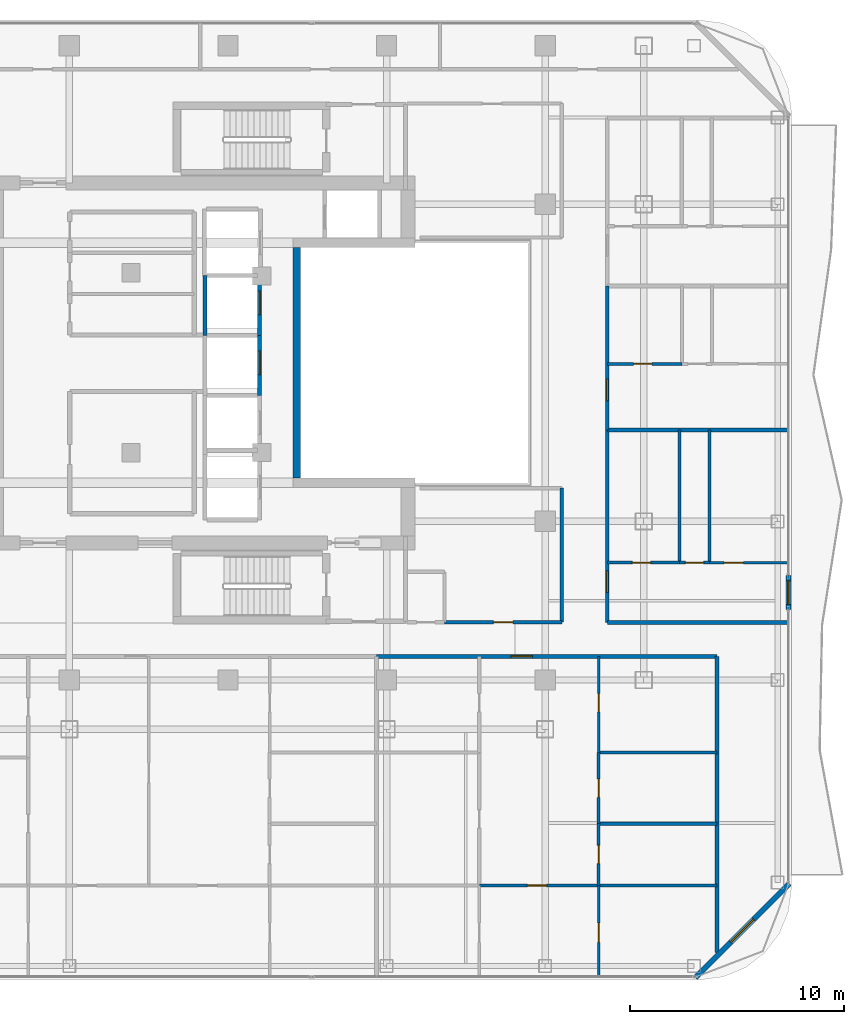
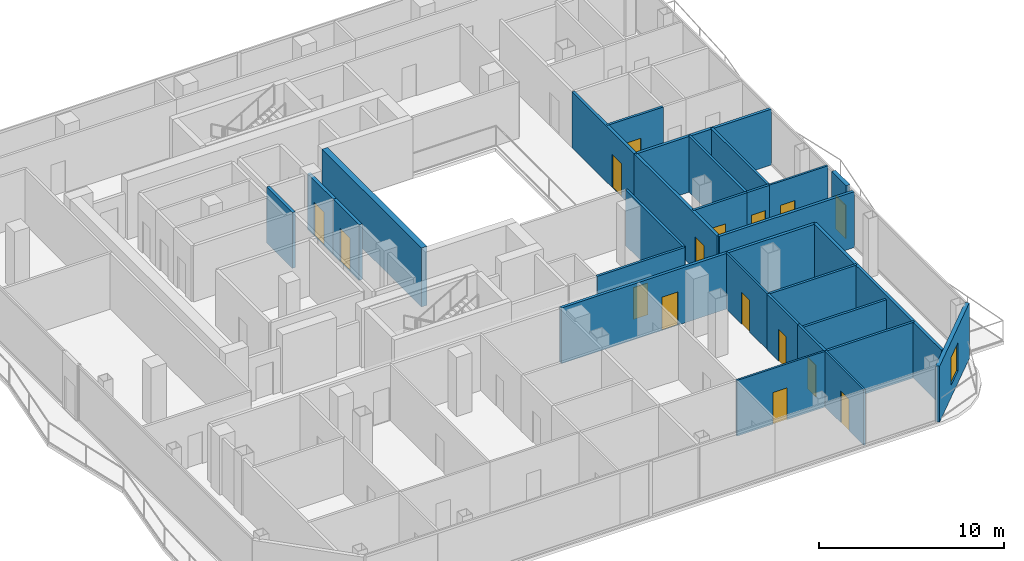
# One storey, part 22 of 27: 28 walls, 16 doors, 1 window, 17 openings.
"""IFC4 building model written with IfcOpenShell, lengths in metres."""

from ifc_helpers import new_model, si_unit, direction, frame, frame_2d, origin, place, context, subcontext, project, spatial, rectangle, extrude, material, layer, layer_set, type_object, element, fill, save


model = new_model("IFC4")

# Units and contexts
model_context = context("Model", 3, precision=1e-05, world=origin(), true_north=direction((0.0, 1.0)))
body_context = subcontext(model_context, "Body", "Model", "MODEL_VIEW")
ifc_project = project(units=[si_unit("LENGTHUNIT", "METRE"), si_unit("AREAUNIT", "SQUARE_METRE"), si_unit("VOLUMEUNIT", "CUBIC_METRE"), si_unit("PLANEANGLEUNIT", "RADIAN"), si_unit("MASSUNIT", "GRAM", prefix="KILO")], contexts=[model_context])

# Site, building, storey
site_placement = place(None, origin())
site = spatial("IfcSite", under=ifc_project, at=site_placement, CompositionType="ELEMENT")
building_placement = place(site_placement, origin())
building = spatial("IfcBuilding", under=site, at=building_placement, Name="Khorvyn Point Tower", CompositionType="ELEMENT")
storey_placement = place(building_placement, frame((0.0, 0.0, 246.89990234375)))
storey = spatial("IfcBuildingStorey", under=building, at=storey_placement, Name="L60", CompositionType="ELEMENT", Elevation=246.89990234375)

# Wall, opening, door
ifc_material_1 = material(Name="Double acoustic gypsum on twin steel stud", Category="steel")
ifc_layer_1 = layer(ifc_material_1, 0.179931640625)
ifc_layer_set_1 = layer_set([ifc_layer_1], Name="Acoustic Double-Stud Apartment Demising Wall 180")
wall_type_1 = type_object("IfcWallType", Name="Acoustic Double-Stud Apartment Demising Wall 180", PredefinedType="PARTITIONING", material=ifc_layer_set_1)
wall_1_placement = place(storey_placement, frame((6.927001953125, -13.699951171875, 0.0), z_axis=(0.0, 0.0, 1.0), x_axis=(1.0, 0.0, 0.0)))
wall_1 = element("IfcWall", 1, at=wall_1_placement, inside=storey, type_object=wall_type_1, Name="Wall", PredefinedType="PARTITIONING", context=body_context, shape_type="SweptSolid", body=[
    extrude(rectangle(XDim=15.89306640625, YDim=0.179931640625, at=frame_2d((7.946533203125, 0.0))), origin(), (0.0, 0.0, 1.0), 3.68017578125),
])
opening_1_placement = place(wall_1_placement, frame((6.277099609375, 0.0, 0.0)))
opening_1 = element("IfcOpeningElement", 2, at=opening_1_placement, cuts=wall_1, Name="Opening ID-AP60", PredefinedType="OPENING", context=body_context, shape_type="SweptSolid", body=[
    extrude(rectangle(XDim=1.0, YDim=2.199951171875, at=frame_2d((0.5, 1.10009765625))), frame((0.0, 0.099853515625, 0.0), z_axis=(0.0, -1.0, 0.0), x_axis=(1.0, 0.0, 0.0)), (0.0, 0.0, 1.0), 0.199951171875),
])
ifc_material_2 = material(Name="Engineered hardwood fire-rated leaf", Category="wood")
door_type_1 = type_object("IfcDoorType", Name="Acoustic Solid-Core Timber Apartment Entrance Door 1000x2200", OperationType="NOTDEFINED", PredefinedType="DOOR", material=ifc_material_2)
door_1_placement = place(opening_1_placement, origin())
door_1 = element("IfcDoor", 3, at=door_1_placement, inside=storey, type_object=door_type_1, Name="Door", OperationType="SINGLE_SWING_LEFT", OverallHeight=2.199951171875, OverallWidth=1.0, PredefinedType="DOOR", context=body_context, shape_type="SweptSolid", body=[
    extrude(rectangle(XDim=1.0, YDim=2.199951171875, at=frame_2d((0.5, 1.10009765625))), frame((0.0, 0.02490234375, 0.0), z_axis=(0.0, -1.0, 0.0), x_axis=(1.0, 0.0, 0.0)), (0.0, 0.0, 1.0), 0.050048828125),
])
fill(opening_1, door_1)

wall_2_placement = place(storey_placement, frame((17.699951171875, -12.1201171875, 0.0), z_axis=(0.0, 0.0, 1.0), x_axis=(0.0, 1.0, 0.0)))
wall_2 = element("IfcWall", 4, at=wall_2_placement, inside=storey, type_object=wall_type_1, Name="Wall", PredefinedType="PARTITIONING", context=body_context, shape_type="SweptSolid", body=[
    extrude(rectangle(XDim=8.980224609375, YDim=0.179931640625, at=frame_2d((4.490234375, 0.0))), origin(), (0.0, 0.0, 1.0), 3.68017578125),
])
opening_2_placement = place(wall_2_placement, frame((1.406982421875, 0.0, 0.0)))
opening_2 = element("IfcOpeningElement", 5, at=opening_2_placement, cuts=wall_2, Name="Opening ID-AP60", PredefinedType="OPENING", context=body_context, shape_type="SweptSolid", body=[
    extrude(rectangle(XDim=1.0, YDim=2.199951171875, at=frame_2d((0.5, 1.10009765625))), frame((0.0, 0.099853515625, 0.0), z_axis=(0.0, -1.0, 0.0), x_axis=(1.0, 0.0, 0.0)), (0.0, 0.0, 1.0), 0.199951171875),
])
door_2_placement = place(opening_2_placement, origin())
door_2 = element("IfcDoor", 6, at=door_2_placement, inside=storey, type_object=door_type_1, Name="Door", OperationType="SINGLE_SWING_RIGHT", OverallHeight=2.199951171875, OverallWidth=1.0, PredefinedType="DOOR", context=body_context, shape_type="SweptSolid", body=[
    extrude(rectangle(XDim=1.0, YDim=2.199951171875, at=frame_2d((0.5, 1.10009765625))), frame((0.0, 0.02490234375, 0.0), z_axis=(0.0, -1.0, 0.0), x_axis=(1.0, 0.0, 0.0)), (0.0, 0.0, 1.0), 0.050048828125),
])
fill(opening_2, door_2)

wall_3_placement = place(storey_placement, frame((17.699951171875, -3.139892578125, 0.0), z_axis=(0.0, 0.0, 1.0), x_axis=(0.0, 1.0, 0.0)))
wall_3 = element("IfcWall", 7, at=wall_3_placement, inside=storey, type_object=wall_type_1, Name="Wall", PredefinedType="PARTITIONING", context=body_context, shape_type="SweptSolid", body=[
    extrude(rectangle(XDim=6.719970703125, YDim=0.179931640625, at=frame_2d((3.35986328125, 0.0))), origin(), (0.0, 0.0, 1.0), 3.68017578125),
])
opening_3_placement = place(wall_3_placement, frame((1.37939453125, 0.0, 0.0)))
opening_3 = element("IfcOpeningElement", 8, at=opening_3_placement, cuts=wall_3, Name="Opening ID-AP60", PredefinedType="OPENING", context=body_context, shape_type="SweptSolid", body=[
    extrude(rectangle(XDim=1.0, YDim=2.199951171875, at=frame_2d((0.5, 1.10009765625))), frame((0.0, 0.099853515625, 0.0), z_axis=(0.0, -1.0, 0.0), x_axis=(1.0, 0.0, 0.0)), (0.0, 0.0, 1.0), 0.199951171875),
])
door_3_placement = place(opening_3_placement, origin())
door_3 = element("IfcDoor", 9, at=door_3_placement, inside=storey, type_object=door_type_1, Name="Door", OperationType="SINGLE_SWING_RIGHT", OverallHeight=2.199951171875, OverallWidth=1.0, PredefinedType="DOOR", context=body_context, shape_type="SweptSolid", body=[
    extrude(rectangle(XDim=1.0, YDim=2.199951171875, at=frame_2d((0.5, 1.10009765625))), frame((0.0, 0.02490234375, 0.0), z_axis=(0.0, -1.0, 0.0), x_axis=(1.0, 0.0, 0.0)), (0.0, 0.0, 1.0), 0.050048828125),
])
fill(opening_3, door_3)

# Walls
wall_4_placement = place(storey_placement, frame((22.820068359375, -27.510009765625, 0.0), z_axis=(0.0, 0.0, 1.0), x_axis=(0.0, 1.0, 0.0)))
element("IfcWall", 10, at=wall_4_placement, inside=storey, type_object=wall_type_1, Name="Wall", PredefinedType="PARTITIONING", context=body_context, shape_type="SweptSolid", body=[
    extrude(rectangle(XDim=13.81005859375, YDim=0.179931640625, at=frame_2d((6.905029296875, 0.0))), origin(), (0.0, 0.0, 1.0), 3.68017578125),
])
for number, where, z_axis, x_axis, name in (
    (11, (17.699951171875, -3.139892578125, 0.0), (0.0, 0.0, 1.0), (1.0, 0.0, 0.0), "Wall"),
    (12, (17.699951171875, -12.1201171875, 0.0), (0.0, 0.0, 1.0), (1.0, 0.0, 0.0), "Wall"),
):
    element("IfcWall", number, at=place(storey_placement, frame(where, z_axis=z_axis, x_axis=x_axis)), inside=storey, type_object=wall_type_1, Name=name, PredefinedType="PARTITIONING", context=body_context, shape_type="SweptSolid", body=[
        extrude(rectangle(XDim=8.429931640625, YDim=0.179931640625, at=frame_2d((4.21484375, 0.0))), origin(), (0.0, 0.0, 1.0), 3.68017578125),
    ])

# Wall, opening, door
ifc_material_3 = material(Name="Pale anodised aluminium rainscreen on steel stud", Category="steel")
ifc_layer_2 = layer(ifc_material_3, 0.239990234375)
ifc_layer_set_2 = layer_set([ifc_layer_2], Name="Anodised Aluminium Insulated Corner Spandrel Wall 240")
wall_type_2 = type_object("IfcWallType", Name="Anodised Aluminium Insulated Corner Spandrel Wall 240", PredefinedType="SOLIDWALL", material=ifc_layer_set_2)
wall_5_placement = place(storey_placement, frame((26.14990234375, -9.929931640625, 0.0), z_axis=(0.0, 0.0, 1.0), x_axis=(0.0, -1.0, 0.0)))
wall_5 = element("IfcWall", 13, at=wall_5_placement, inside=storey, type_object=wall_type_2, Name="L60 East Outdoor Threshold Wall", PredefinedType="SOLIDWALL", context=body_context, shape_type="SweptSolid", body=[
    extrude(rectangle(XDim=1.580078125, YDim=0.239990234375, at=frame_2d((0.7900390625, 0.0))), origin(), (0.0, 0.0, 1.0), 3.68017578125),
])
opening_4_placement = place(wall_5_placement, frame((0.239990234375, 0.0, 0.0)))
opening_4 = element("IfcOpeningElement", 14, at=opening_4_placement, cuts=wall_5, Name="Opening BD-1122", PredefinedType="OPENING", context=body_context, shape_type="SweptSolid", body=[
    extrude(rectangle(XDim=1.10009765625, YDim=2.199951171875, at=frame_2d((0.550048828125, 1.10009765625))), frame((0.0, 0.1298828125, 0.0), z_axis=(0.0, -1.0, 0.0), x_axis=(1.0, 0.0, 0.0)), (0.0, 0.0, 1.0), 0.260009765625),
])
ifc_material_4 = material(Name="Anodised aluminium 6063-T6 and laminated Low-E glass", Category="aluminium")
door_type_2 = type_object("IfcDoorType", Name="Glazed Balcony and Terrace Threshold Door 1100x2200", OperationType="NOTDEFINED", PredefinedType="DOOR", material=ifc_material_4)
door_4_placement = place(opening_4_placement, origin())
door_4 = element("IfcDoor", 15, at=door_4_placement, inside=storey, type_object=door_type_2, Name="L60 East Glazed Balcony Outdoor Door", OperationType="SINGLE_SWING_LEFT", OverallHeight=2.199951171875, OverallWidth=1.10009765625, PredefinedType="DOOR", context=body_context, shape_type="SweptSolid", body=[
    extrude(rectangle(XDim=1.10009765625, YDim=2.199951171875, at=frame_2d((0.550048828125, 1.10009765625))), frame((0.0, 0.02490234375, 0.0), z_axis=(0.0, -1.0, 0.0), x_axis=(1.0, 0.0, 0.0)), (0.0, 0.0, 1.0), 0.050048828125),
])
fill(opening_4, door_4)

# Wall, opening, window
wall_6_placement = place(storey_placement, frame((26.1923828125, -24.3076171875, 0.0), z_axis=(0.0, 0.0, 1.0), x_axis=(-0.707106781187, -0.707106781187, 0.0)))
wall_6 = element("IfcWall", 16, at=wall_6_placement, inside=storey, type_object=wall_type_2, Name="L60 Rounded Corner Wall SE", PredefinedType="SOLIDWALL", context=body_context, shape_type="SweptSolid", body=[
    extrude(rectangle(XDim=6.200927734375, YDim=0.239990234375, at=frame_2d((3.1005859375, 0.0))), origin(), (0.0, 0.0, 1.0), 3.68017578125),
])
opening_5_placement = place(wall_6_placement, frame((2.3505859375, 0.0, 0.800048828125)))
opening_5 = element("IfcOpeningElement", 17, at=opening_5_placement, cuts=wall_6, Name="Opening WN-1518", PredefinedType="OPENING", context=body_context, shape_type="SweptSolid", body=[
    extrude(rectangle(XDim=1.5, YDim=1.85009765625, at=frame_2d((0.75, 0.925048828125))), frame((0.0, 0.1298828125, 0.0), z_axis=(0.0, -1.0, 0.0), x_axis=(1.0, 0.0, 0.0)), (0.0, 0.0, 1.0), 0.260009765625),
])
window_type = type_object("IfcWindowType", Name="Anodised Aluminium Rounded-Corner Panoramic Window 1500x1850", PartitioningType="SINGLE_PANEL", PredefinedType="WINDOW", material=ifc_material_4)
window_placement = place(opening_5_placement, origin())
window = element("IfcWindow", 18, at=window_placement, inside=storey, type_object=window_type, Name="L60 Corner Panoramic Window SE", OverallHeight=1.85009765625, OverallWidth=1.5, PartitioningType="SINGLE_PANEL", PredefinedType="WINDOW", context=body_context, shape_type="SweptSolid", body=[
    extrude(rectangle(XDim=1.5, YDim=1.85009765625, at=frame_2d((0.75, 0.925048828125))), frame((0.0, 0.030029296875, 0.0), z_axis=(0.0, -1.0, 0.0), x_axis=(1.0, 0.0, 0.0)), (0.0, 0.0, 1.0), 0.06005859375),
])
fill(opening_5, window)

# Wall
ifc_material_5 = material(Name="Concrete C40/50", Category="concrete")
ifc_layer_3 = layer(ifc_material_5, 0.35009765625)
ifc_layer_set_3 = layer_set([ifc_layer_3], Name="Concrete C40/50 Stair Shaft Structural Wall 350")
wall_type_3 = type_object("IfcWallType", Name="Concrete C40/50 Stair Shaft Structural Wall 350", PredefinedType="SHEAR", material=ifc_layer_set_3)
wall_7_placement = place(storey_placement, frame((3.219970703125, -5.375, 0.0), z_axis=(0.0, 0.0, 1.0), x_axis=(0.0, 1.0, 0.0)))
element("IfcWall", 19, at=wall_7_placement, inside=storey, type_object=wall_type_3, Name="Wall", PredefinedType="SHEAR", context=body_context, shape_type="SweptSolid", body=[
    extrude(rectangle(XDim=10.75, YDim=0.35009765625, at=frame_2d((5.375, 0.0))), origin(), (0.0, 0.0, 1.0), 3.900146484375),
])

# Wall, opening, door
ifc_layer_4 = layer(ifc_material_5, 0.199951171875)
ifc_layer_set_4 = layer_set([ifc_layer_4], Name="Concrete C40/50 Structural Hoistway and Stair Shaft Wall 200")
wall_type_4 = type_object("IfcWallType", Name="Concrete C40/50 Structural Hoistway and Stair Shaft Wall 200", PredefinedType="SHEAR", material=ifc_layer_set_4)
wall_8_placement = place(storey_placement, frame((1.47509765625, -1.52490234375, 0.0), z_axis=(0.0, 0.0, 1.0), x_axis=(0.0, 1.0, 0.0)))
wall_8 = element("IfcWall", 20, at=wall_8_placement, inside=storey, type_object=wall_type_4, Name="Wall", PredefinedType="SHEAR", context=body_context, shape_type="SweptSolid", body=[
    extrude(rectangle(XDim=2.7998046875, YDim=0.199951171875, at=frame_2d((1.39990234375, 0.0))), origin(), (0.0, 0.0, 1.0), 3.68017578125),
])
opening_6_placement = place(wall_8_placement, frame((0.97509765625, 0.0, 0.0)))
opening_6 = element("IfcOpeningElement", 21, at=opening_6_placement, cuts=wall_8, Name="Opening LD-1122", PredefinedType="OPENING", context=body_context, shape_type="SweptSolid", body=[
    extrude(rectangle(XDim=1.10009765625, YDim=2.199951171875, at=frame_2d((0.550048828125, 1.10009765625))), frame((0.0, 0.10986328125, 0.0), z_axis=(0.0, -1.0, 0.0), x_axis=(1.0, 0.0, 0.0)), (0.0, 0.0, 1.0), 0.219970703125),
])
ifc_material_6 = material(Name="Stainless steel 1.4301", Category="steel")
door_type_3 = type_object("IfcDoorType", Name="Stainless Steel Automatic Sliding Lift Landing Door 1100x2200", OperationType="SLIDING_TO_LEFT", PredefinedType="DOOR", material=ifc_material_6)
door_5_placement = place(opening_6_placement, origin())
door_5 = element("IfcDoor", 22, at=door_5_placement, inside=storey, type_object=door_type_3, Name="L60 RH-02 Sliding Lift Landing Door", OperationType="SLIDING_TO_LEFT", OverallHeight=2.199951171875, OverallWidth=1.10009765625, PredefinedType="DOOR", context=body_context, shape_type="SweptSolid", body=[
    extrude(rectangle(XDim=1.10009765625, YDim=2.199951171875, at=frame_2d((0.550048828125, 1.10009765625))), frame((0.0, 0.02490234375, 0.0), z_axis=(0.0, -1.0, 0.0), x_axis=(1.0, 0.0, 0.0)), (0.0, 0.0, 1.0), 0.050048828125),
])
fill(opening_6, door_5)

# Wall
wall_9_placement = place(storey_placement, frame((-1.074951171875, 1.27490234375, 0.0), z_axis=(0.0, 0.0, 1.0), x_axis=(0.0, 1.0, 0.0)))
element("IfcWall", 23, at=wall_9_placement, inside=storey, type_object=wall_type_4, Name="Wall", PredefinedType="SHEAR", context=body_context, shape_type="SweptSolid", body=[
    extrude(rectangle(XDim=2.800048828125, YDim=0.199951171875, at=frame_2d((1.39990234375, 0.0))), origin(), (0.0, 0.0, 1.0), 3.68017578125),
])

# Wall, opening, door
wall_10_placement = place(storey_placement, frame((1.47509765625, 1.27490234375, 0.0), z_axis=(0.0, 0.0, 1.0), x_axis=(0.0, 1.0, 0.0)))
wall_10 = element("IfcWall", 24, at=wall_10_placement, inside=storey, type_object=wall_type_4, Name="Wall", PredefinedType="SHEAR", context=body_context, shape_type="SweptSolid", body=[
    extrude(rectangle(XDim=2.800048828125, YDim=0.199951171875, at=frame_2d((1.39990234375, 0.0))), origin(), (0.0, 0.0, 1.0), 3.68017578125),
])
opening_7_placement = place(wall_10_placement, frame((0.97509765625, 0.0, 0.0)))
opening_7 = element("IfcOpeningElement", 25, at=opening_7_placement, cuts=wall_10, Name="Opening LD-1122", PredefinedType="OPENING", context=body_context, shape_type="SweptSolid", body=[
    extrude(rectangle(XDim=1.10009765625, YDim=2.199951171875, at=frame_2d((0.550048828125, 1.10009765625))), frame((0.0, 0.10986328125, 0.0), z_axis=(0.0, -1.0, 0.0), x_axis=(1.0, 0.0, 0.0)), (0.0, 0.0, 1.0), 0.219970703125),
])
door_6_placement = place(opening_7_placement, origin())
door_6 = element("IfcDoor", 26, at=door_6_placement, inside=storey, type_object=door_type_3, Name="L60 RH-03 Sliding Lift Landing Door", OperationType="SLIDING_TO_LEFT", OverallHeight=2.199951171875, OverallWidth=1.10009765625, PredefinedType="DOOR", context=body_context, shape_type="SweptSolid", body=[
    extrude(rectangle(XDim=1.10009765625, YDim=2.199951171875, at=frame_2d((0.550048828125, 1.10009765625))), frame((0.0, 0.02490234375, 0.0), z_axis=(0.0, -1.0, 0.0), x_axis=(1.0, 0.0, 0.0)), (0.0, 0.0, 1.0), 0.050048828125),
])
fill(opening_7, door_6)

ifc_material_7 = material(Name="Gypsum plasterboard on steel stud", Category="steel")
ifc_layer_5 = layer(ifc_material_7, 0.1201171875)
ifc_layer_set_5 = layer_set([ifc_layer_5], Name="Gypsum Acoustic Stud Room Partition Wall 120")
wall_type_5 = type_object("IfcWallType", Name="Gypsum Acoustic Stud Room Partition Wall 120", PredefinedType="PARTITIONING", material=ifc_layer_set_5)
wall_11_placement = place(storey_placement, frame((11.72998046875, -24.389892578125, 0.0), z_axis=(0.0, 0.0, 1.0), x_axis=(1.0, 0.0, 0.0)))
wall_11 = element("IfcWall", 27, at=wall_11_placement, inside=storey, type_object=wall_type_5, Name="Wall", PredefinedType="PARTITIONING", context=body_context, shape_type="SweptSolid", body=[
    extrude(rectangle(XDim=5.56298828125, YDim=0.1201171875, at=frame_2d((2.781494140625, 0.0))), origin(), (0.0, 0.0, 1.0), 3.68017578125),
])
opening_8_placement = place(wall_11_placement, frame((2.24462890625, 0.0, 0.0)))
opening_8 = element("IfcOpeningElement", 28, at=opening_8_placement, cuts=wall_11, Name="Opening ID-RM90", PredefinedType="OPENING", context=body_context, shape_type="SweptSolid", body=[
    extrude(rectangle(XDim=0.89990234375, YDim=2.10009765625, at=frame_2d((0.449951171875, 1.050048828125))), frame((0.0, 0.070068359375, 0.0), z_axis=(0.0, -1.0, 0.0), x_axis=(1.0, 0.0, 0.0)), (0.0, 0.0, 1.0), 0.14013671875),
])
ifc_material_8 = material(Name="Engineered oak veneer timber", Category="wood")
door_type_4 = type_object("IfcDoorType", Name="Flush Engineered Timber Room Door 900x2100", OperationType="NOTDEFINED", PredefinedType="DOOR", material=ifc_material_8)
door_7_placement = place(opening_8_placement, origin())
door_7 = element("IfcDoor", 29, at=door_7_placement, inside=storey, type_object=door_type_4, Name="Door", OperationType="SINGLE_SWING_RIGHT", OverallHeight=2.10009765625, OverallWidth=0.89990234375, PredefinedType="DOOR", context=body_context, shape_type="SweptSolid", body=[
    extrude(rectangle(XDim=0.89990234375, YDim=2.10009765625, at=frame_2d((0.449951171875, 1.050048828125))), frame((0.0, 0.02490234375, 0.0), z_axis=(0.0, -1.0, 0.0), x_axis=(1.0, 0.0, 0.0)), (0.0, 0.0, 1.0), 0.050048828125),
])
fill(opening_8, door_7)

wall_12_placement = place(storey_placement, frame((17.29296875, -18.18994140625, 0.0), z_axis=(0.0, 0.0, 1.0), x_axis=(0.0, 1.0, 0.0)))
wall_12 = element("IfcWall", 30, at=wall_12_placement, inside=storey, type_object=wall_type_5, Name="Wall", PredefinedType="PARTITIONING", context=body_context, shape_type="SweptSolid", body=[
    extrude(rectangle(XDim=4.489990234375, YDim=0.1201171875, at=frame_2d((2.2451171875, 0.0))), origin(), (0.0, 0.0, 1.0), 3.68017578125),
])
opening_9_placement = place(wall_12_placement, frame((1.907470703125, 0.0, 0.0)))
opening_9 = element("IfcOpeningElement", 31, at=opening_9_placement, cuts=wall_12, Name="Opening ID-WC85", PredefinedType="OPENING", context=body_context, shape_type="SweptSolid", body=[
    extrude(rectangle(XDim=0.85009765625, YDim=2.10009765625, at=frame_2d((0.425048828125, 1.050048828125))), frame((0.0, 0.070068359375, 0.0), z_axis=(0.0, -1.0, 0.0), x_axis=(1.0, 0.0, 0.0)), (0.0, 0.0, 1.0), 0.14013671875),
])
ifc_material_9 = material(Name="High-pressure laminate on moisture-resistant core", Category="wood")
door_type_5 = type_object("IfcDoorType", Name="Moisture-Resistant Accessible Washroom Door 850x2100", OperationType="NOTDEFINED", PredefinedType="DOOR", material=ifc_material_9)
door_8_placement = place(opening_9_placement, origin())
door_8 = element("IfcDoor", 32, at=door_8_placement, inside=storey, type_object=door_type_5, Name="Door", OperationType="SINGLE_SWING_RIGHT", OverallHeight=2.10009765625, OverallWidth=0.85009765625, PredefinedType="DOOR", context=body_context, shape_type="SweptSolid", body=[
    extrude(rectangle(XDim=0.85009765625, YDim=2.10009765625, at=frame_2d((0.425048828125, 1.050048828125))), frame((0.0, 0.02490234375, 0.0), z_axis=(0.0, -1.0, 0.0), x_axis=(1.0, 0.0, 0.0)), (0.0, 0.0, 1.0), 0.050048828125),
])
fill(opening_9, door_8)

wall_13_placement = place(storey_placement, frame((17.29296875, -28.6298828125, 0.0), z_axis=(0.0, 0.0, 1.0), x_axis=(0.0, 1.0, 0.0)))
wall_13 = element("IfcWall", 33, at=wall_13_placement, inside=storey, type_object=wall_type_5, Name="Wall", PredefinedType="PARTITIONING", context=body_context, shape_type="SweptSolid", body=[
    extrude(rectangle(XDim=4.239990234375, YDim=0.1201171875, at=frame_2d((2.1201171875, 0.0))), origin(), (0.0, 0.0, 1.0), 3.68017578125),
])
opening_10_placement = place(wall_13_placement, frame((1.581298828125, 0.0, 0.0)))
opening_10 = element("IfcOpeningElement", 34, at=opening_10_placement, cuts=wall_13, Name="Opening ID-RM90", PredefinedType="OPENING", context=body_context, shape_type="SweptSolid", body=[
    extrude(rectangle(XDim=0.89990234375, YDim=2.10009765625, at=frame_2d((0.449951171875, 1.050048828125))), frame((0.0, 0.070068359375, 0.0), z_axis=(0.0, -1.0, 0.0), x_axis=(1.0, 0.0, 0.0)), (0.0, 0.0, 1.0), 0.14013671875),
])
door_9_placement = place(opening_10_placement, origin())
door_9 = element("IfcDoor", 35, at=door_9_placement, inside=storey, type_object=door_type_4, Name="Door", OperationType="SINGLE_SWING_LEFT", OverallHeight=2.10009765625, OverallWidth=0.89990234375, PredefinedType="DOOR", context=body_context, shape_type="SweptSolid", body=[
    extrude(rectangle(XDim=0.89990234375, YDim=2.10009765625, at=frame_2d((0.449951171875, 1.050048828125))), frame((0.0, 0.02490234375, 0.0), z_axis=(0.0, -1.0, 0.0), x_axis=(1.0, 0.0, 0.0)), (0.0, 0.0, 1.0), 0.050048828125),
])
fill(opening_10, door_9)

wall_14_placement = place(storey_placement, frame((22.468994140625, -9.320068359375, 0.0), z_axis=(0.0, 0.0, 1.0), x_axis=(1.0, 0.0, 0.0)))
wall_14 = element("IfcWall", 36, at=wall_14_placement, inside=storey, type_object=wall_type_5, Name="Wall", PredefinedType="PARTITIONING", context=body_context, shape_type="SweptSolid", body=[
    extrude(rectangle(XDim=3.660888671875, YDim=0.1201171875, at=frame_2d((1.83056640625, 0.0))), origin(), (0.0, 0.0, 1.0), 3.68017578125),
])
opening_11_placement = place(wall_14_placement, frame((0.68310546875, 0.0, 0.0)))
opening_11 = element("IfcOpeningElement", 37, at=opening_11_placement, cuts=wall_14, Name="Opening ID-RM90", PredefinedType="OPENING", context=body_context, shape_type="SweptSolid", body=[
    extrude(rectangle(XDim=0.89990234375, YDim=2.10009765625, at=frame_2d((0.449951171875, 1.050048828125))), frame((0.0, 0.070068359375, 0.0), z_axis=(0.0, -1.0, 0.0), x_axis=(1.0, 0.0, 0.0)), (0.0, 0.0, 1.0), 0.14013671875),
])
door_10_placement = place(opening_11_placement, origin())
door_10 = element("IfcDoor", 38, at=door_10_placement, inside=storey, type_object=door_type_4, Name="Door", OperationType="SINGLE_SWING_LEFT", OverallHeight=2.10009765625, OverallWidth=0.89990234375, PredefinedType="DOOR", context=body_context, shape_type="SweptSolid", body=[
    extrude(rectangle(XDim=0.89990234375, YDim=2.10009765625, at=frame_2d((0.449951171875, 1.050048828125))), frame((0.0, 0.02490234375, 0.0), z_axis=(0.0, -1.0, 0.0), x_axis=(1.0, 0.0, 0.0)), (0.0, 0.0, 1.0), 0.050048828125),
])
fill(opening_11, door_10)

ifc_material_10 = material(Name="Moisture-resistant gypsum and cement board", Category="gypsum")
ifc_layer_6 = layer(ifc_material_10, 0.14990234375)
ifc_layer_set_6 = layer_set([ifc_layer_6], Name="Moisture-Resistant Wet-Room Partition Wall 150")
wall_type_6 = type_object("IfcWallType", Name="Moisture-Resistant Wet-Room Partition Wall 150", PredefinedType="PARTITIONING", material=ifc_layer_set_6)
wall_15_placement = place(storey_placement, frame((10.10009765625, -12.10009765625, 0.0), z_axis=(0.0, 0.0, 1.0), x_axis=(1.0, 0.0, 0.0)))
wall_15 = element("IfcWall", 39, at=wall_15_placement, inside=storey, type_object=wall_type_6, Name="Wall", PredefinedType="PARTITIONING", context=body_context, shape_type="SweptSolid", body=[
    extrude(rectangle(XDim=5.47998046875, YDim=0.14990234375, at=frame_2d((2.739990234375, 0.0))), origin(), (0.0, 0.0, 1.0), 3.68017578125),
])
opening_12_placement = place(wall_15_placement, frame((2.2900390625, 0.0, 0.0)))
opening_12 = element("IfcOpeningElement", 40, at=opening_12_placement, cuts=wall_15, Name="Opening ID-RM90", PredefinedType="OPENING", context=body_context, shape_type="SweptSolid", body=[
    extrude(rectangle(XDim=0.89990234375, YDim=2.10009765625, at=frame_2d((0.449951171875, 1.050048828125))), frame((0.0, 0.0849609375, 0.0), z_axis=(0.0, -1.0, 0.0), x_axis=(1.0, 0.0, 0.0)), (0.0, 0.0, 1.0), 0.169921875),
])
door_11_placement = place(opening_12_placement, origin())
door_11 = element("IfcDoor", 41, at=door_11_placement, inside=storey, type_object=door_type_4, Name="Door", OperationType="SINGLE_SWING_LEFT", OverallHeight=2.10009765625, OverallWidth=0.89990234375, PredefinedType="DOOR", context=body_context, shape_type="SweptSolid", body=[
    extrude(rectangle(XDim=0.89990234375, YDim=2.10009765625, at=frame_2d((0.449951171875, 1.050048828125))), frame((0.0, 0.02490234375, 0.0), z_axis=(0.0, -1.0, 0.0), x_axis=(1.0, 0.0, 0.0)), (0.0, 0.0, 1.0), 0.050048828125),
])
fill(opening_12, door_11)

wall_16_placement = place(storey_placement, frame((17.29296875, -24.389892578125, 0.0), z_axis=(0.0, 0.0, 1.0), x_axis=(0.0, 1.0, 0.0)))
wall_16 = element("IfcWall", 42, at=wall_16_placement, inside=storey, type_object=wall_type_6, Name="Wall", PredefinedType="PARTITIONING", context=body_context, shape_type="SweptSolid", body=[
    extrude(rectangle(XDim=2.885986328125, YDim=0.14990234375, at=frame_2d((1.44287109375, 0.0))), origin(), (0.0, 0.0, 1.0), 3.68017578125),
])
opening_13_placement = place(wall_16_placement, frame((1.01806640625, 0.0, 0.0)))
opening_13 = element("IfcOpeningElement", 43, at=opening_13_placement, cuts=wall_16, Name="Opening ID-WC85", PredefinedType="OPENING", context=body_context, shape_type="SweptSolid", body=[
    extrude(rectangle(XDim=0.85009765625, YDim=2.10009765625, at=frame_2d((0.425048828125, 1.050048828125))), frame((0.0, 0.0849609375, 0.0), z_axis=(0.0, -1.0, 0.0), x_axis=(1.0, 0.0, 0.0)), (0.0, 0.0, 1.0), 0.169921875),
])
door_12_placement = place(opening_13_placement, origin())
door_12 = element("IfcDoor", 44, at=door_12_placement, inside=storey, type_object=door_type_5, Name="Door", OperationType="SINGLE_SWING_RIGHT", OverallHeight=2.10009765625, OverallWidth=0.85009765625, PredefinedType="DOOR", context=body_context, shape_type="SweptSolid", body=[
    extrude(rectangle(XDim=0.85009765625, YDim=2.10009765625, at=frame_2d((0.425048828125, 1.050048828125))), frame((0.0, 0.02490234375, 0.0), z_axis=(0.0, -1.0, 0.0), x_axis=(1.0, 0.0, 0.0)), (0.0, 0.0, 1.0), 0.050048828125),
])
fill(opening_13, door_12)

wall_17_placement = place(storey_placement, frame((17.29296875, -21.50390625, 0.0), z_axis=(0.0, 0.0, 1.0), x_axis=(0.0, 1.0, 0.0)))
wall_17 = element("IfcWall", 45, at=wall_17_placement, inside=storey, type_object=wall_type_6, Name="Wall", PredefinedType="PARTITIONING", context=body_context, shape_type="SweptSolid", body=[
    extrude(rectangle(XDim=3.31396484375, YDim=0.14990234375, at=frame_2d((1.656982421875, 0.0))), origin(), (0.0, 0.0, 1.0), 3.68017578125),
])
opening_14_placement = place(wall_17_placement, frame((1.23193359375, 0.0, 0.0)))
opening_14 = element("IfcOpeningElement", 46, at=opening_14_placement, cuts=wall_17, Name="Opening ID-WC85", PredefinedType="OPENING", context=body_context, shape_type="SweptSolid", body=[
    extrude(rectangle(XDim=0.85009765625, YDim=2.10009765625, at=frame_2d((0.425048828125, 1.050048828125))), frame((0.0, 0.0849609375, 0.0), z_axis=(0.0, -1.0, 0.0), x_axis=(1.0, 0.0, 0.0)), (0.0, 0.0, 1.0), 0.169921875),
])
door_13_placement = place(opening_14_placement, origin())
door_13 = element("IfcDoor", 47, at=door_13_placement, inside=storey, type_object=door_type_5, Name="Door", OperationType="SINGLE_SWING_LEFT", OverallHeight=2.10009765625, OverallWidth=0.85009765625, PredefinedType="DOOR", context=body_context, shape_type="SweptSolid", body=[
    extrude(rectangle(XDim=0.85009765625, YDim=2.10009765625, at=frame_2d((0.425048828125, 1.050048828125))), frame((0.0, 0.02490234375, 0.0), z_axis=(0.0, -1.0, 0.0), x_axis=(1.0, 0.0, 0.0)), (0.0, 0.0, 1.0), 0.050048828125),
])
fill(opening_14, door_13)

wall_18_placement = place(storey_placement, frame((17.699951171875, -9.320068359375, 0.0), z_axis=(0.0, 0.0, 1.0), x_axis=(1.0, 0.0, 0.0)))
wall_18 = element("IfcWall", 48, at=wall_18_placement, inside=storey, type_object=wall_type_6, Name="Wall", PredefinedType="PARTITIONING", context=body_context, shape_type="SweptSolid", body=[
    extrude(rectangle(XDim=3.369140625, YDim=0.14990234375, at=frame_2d((1.6845703125, 0.0))), origin(), (0.0, 0.0, 1.0), 3.68017578125),
])
opening_15_placement = place(wall_18_placement, frame((1.1748046875, 0.0, 0.0)))
opening_15 = element("IfcOpeningElement", 49, at=opening_15_placement, cuts=wall_18, Name="Opening ID-WC85", PredefinedType="OPENING", context=body_context, shape_type="SweptSolid", body=[
    extrude(rectangle(XDim=0.85009765625, YDim=2.10009765625, at=frame_2d((0.425048828125, 1.050048828125))), frame((0.0, 0.0849609375, 0.0), z_axis=(0.0, -1.0, 0.0), x_axis=(1.0, 0.0, 0.0)), (0.0, 0.0, 1.0), 0.169921875),
])
door_14_placement = place(opening_15_placement, origin())
door_14 = element("IfcDoor", 50, at=door_14_placement, inside=storey, type_object=door_type_5, Name="Door", OperationType="SINGLE_SWING_LEFT", OverallHeight=2.10009765625, OverallWidth=0.85009765625, PredefinedType="DOOR", context=body_context, shape_type="SweptSolid", body=[
    extrude(rectangle(XDim=0.85009765625, YDim=2.10009765625, at=frame_2d((0.425048828125, 1.050048828125))), frame((0.0, 0.02490234375, 0.0), z_axis=(0.0, -1.0, 0.0), x_axis=(1.0, 0.0, 0.0)), (0.0, 0.0, 1.0), 0.050048828125),
])
fill(opening_15, door_14)

wall_19_placement = place(storey_placement, frame((21.069091796875, -9.320068359375, 0.0), z_axis=(0.0, 0.0, 1.0), x_axis=(1.0, 0.0, 0.0)))
wall_19 = element("IfcWall", 51, at=wall_19_placement, inside=storey, type_object=wall_type_6, Name="Wall", PredefinedType="PARTITIONING", context=body_context, shape_type="SweptSolid", body=[
    extrude(rectangle(XDim=1.39990234375, YDim=0.14990234375, at=frame_2d((0.699951171875, 0.0))), origin(), (0.0, 0.0, 1.0), 3.68017578125),
])
opening_16_placement = place(wall_19_placement, frame((0.27490234375, 0.0, 0.0)))
opening_16 = element("IfcOpeningElement", 52, at=opening_16_placement, cuts=wall_19, Name="Opening ID-WC85", PredefinedType="OPENING", context=body_context, shape_type="SweptSolid", body=[
    extrude(rectangle(XDim=0.85009765625, YDim=2.10009765625, at=frame_2d((0.425048828125, 1.050048828125))), frame((0.0, 0.0849609375, 0.0), z_axis=(0.0, -1.0, 0.0), x_axis=(1.0, 0.0, 0.0)), (0.0, 0.0, 1.0), 0.169921875),
])
door_15_placement = place(opening_16_placement, origin())
door_15 = element("IfcDoor", 53, at=door_15_placement, inside=storey, type_object=door_type_5, Name="Door", OperationType="SINGLE_SWING_RIGHT", OverallHeight=2.10009765625, OverallWidth=0.85009765625, PredefinedType="DOOR", context=body_context, shape_type="SweptSolid", body=[
    extrude(rectangle(XDim=0.85009765625, YDim=2.10009765625, at=frame_2d((0.425048828125, 1.050048828125))), frame((0.0, 0.02490234375, 0.0), z_axis=(0.0, -1.0, 0.0), x_axis=(1.0, 0.0, 0.0)), (0.0, 0.0, 1.0), 0.050048828125),
])
fill(opening_16, door_15)

wall_20_placement = place(storey_placement, frame((17.699951171875, -0.049072265625, 0.0), z_axis=(0.0, 0.0, 1.0), x_axis=(1.0, 0.0, 0.0)))
wall_20 = element("IfcWall", 54, at=wall_20_placement, inside=storey, type_object=wall_type_6, Name="Wall", PredefinedType="PARTITIONING", context=body_context, shape_type="SweptSolid", body=[
    extrude(rectangle(XDim=3.487060546875, YDim=0.14990234375, at=frame_2d((1.74365234375, 0.0))), origin(), (0.0, 0.0, 1.0), 3.68017578125),
])
opening_17_placement = place(wall_20_placement, frame((1.2294921875, 0.0, 0.0)))
opening_17 = element("IfcOpeningElement", 55, at=opening_17_placement, cuts=wall_20, Name="Opening ID-WC85", PredefinedType="OPENING", context=body_context, shape_type="SweptSolid", body=[
    extrude(rectangle(XDim=0.85009765625, YDim=2.10009765625, at=frame_2d((0.425048828125, 1.050048828125))), frame((0.0, 0.0849609375, 0.0), z_axis=(0.0, -1.0, 0.0), x_axis=(1.0, 0.0, 0.0)), (0.0, 0.0, 1.0), 0.169921875),
])
door_16_placement = place(opening_17_placement, origin())
door_16 = element("IfcDoor", 56, at=door_16_placement, inside=storey, type_object=door_type_5, Name="Door", OperationType="SINGLE_SWING_LEFT", OverallHeight=2.10009765625, OverallWidth=0.85009765625, PredefinedType="DOOR", context=body_context, shape_type="SweptSolid", body=[
    extrude(rectangle(XDim=0.85009765625, YDim=2.10009765625, at=frame_2d((0.425048828125, 1.050048828125))), frame((0.0, 0.02490234375, 0.0), z_axis=(0.0, -1.0, 0.0), x_axis=(1.0, 0.0, 0.0)), (0.0, 0.0, 1.0), 0.050048828125),
])
fill(opening_17, door_16)

# Walls
wall_21_placement = place(storey_placement, frame((15.580078125, -12.10009765625, 0.0), z_axis=(0.0, 0.0, 1.0), x_axis=(0.0, 1.0, 0.0)))
element("IfcWall", 57, at=wall_21_placement, inside=storey, type_object=wall_type_6, Name="Wall", PredefinedType="PARTITIONING", context=body_context, shape_type="SweptSolid", body=[
    extrude(rectangle(XDim=6.25, YDim=0.14990234375, at=frame_2d((3.125, 0.0))), origin(), (0.0, 0.0, 1.0), 3.68017578125),
])
wall_22_placement = place(storey_placement, frame((17.29296875, -21.50390625, 0.0), z_axis=(0.0, 0.0, 1.0), x_axis=(1.0, 0.0, 0.0)))
element("IfcWall", 58, at=wall_22_placement, inside=storey, type_object=wall_type_6, Name="Wall", PredefinedType="PARTITIONING", context=body_context, shape_type="SweptSolid", body=[
    extrude(rectangle(XDim=5.527099609375, YDim=0.14990234375, at=frame_2d((2.763671875, 0.0))), origin(), (0.0, 0.0, 1.0), 3.420166015625),
])
for number, where, z_axis, x_axis, name in (
    (59, (17.29296875, -18.18994140625, 0.0), (0.0, 0.0, 1.0), (1.0, 0.0, 0.0), "Wall"),
    (60, (17.29296875, -24.389892578125, 0.0), (0.0, 0.0, 1.0), (1.0, 0.0, 0.0), "Wall"),
):
    element("IfcWall", number, at=place(storey_placement, frame(where, z_axis=z_axis, x_axis=x_axis)), inside=storey, type_object=wall_type_6, Name=name, PredefinedType="PARTITIONING", context=body_context, shape_type="SweptSolid", body=[
        extrude(rectangle(XDim=5.527099609375, YDim=0.14990234375, at=frame_2d((2.763671875, 0.0))), origin(), (0.0, 0.0, 1.0), 3.68017578125),
    ])
for number, where, z_axis, x_axis, name in (
    (61, (21.069091796875, -9.320068359375, 0.0), (0.0, 0.0, 1.0), (0.0, 1.0, 0.0), "Wall"),
    (62, (22.468994140625, -9.320068359375, 0.0), (0.0, 0.0, 1.0), (0.0, 1.0, 0.0), "Wall"),
):
    element("IfcWall", number, at=place(storey_placement, frame(where, z_axis=z_axis, x_axis=x_axis)), inside=storey, type_object=wall_type_6, Name=name, PredefinedType="PARTITIONING", context=body_context, shape_type="SweptSolid", body=[
        extrude(rectangle(XDim=6.18017578125, YDim=0.14990234375, at=frame_2d((3.090087890625, 0.0))), origin(), (0.0, 0.0, 1.0), 3.68017578125),
    ])

save(model, "model.ifc")
